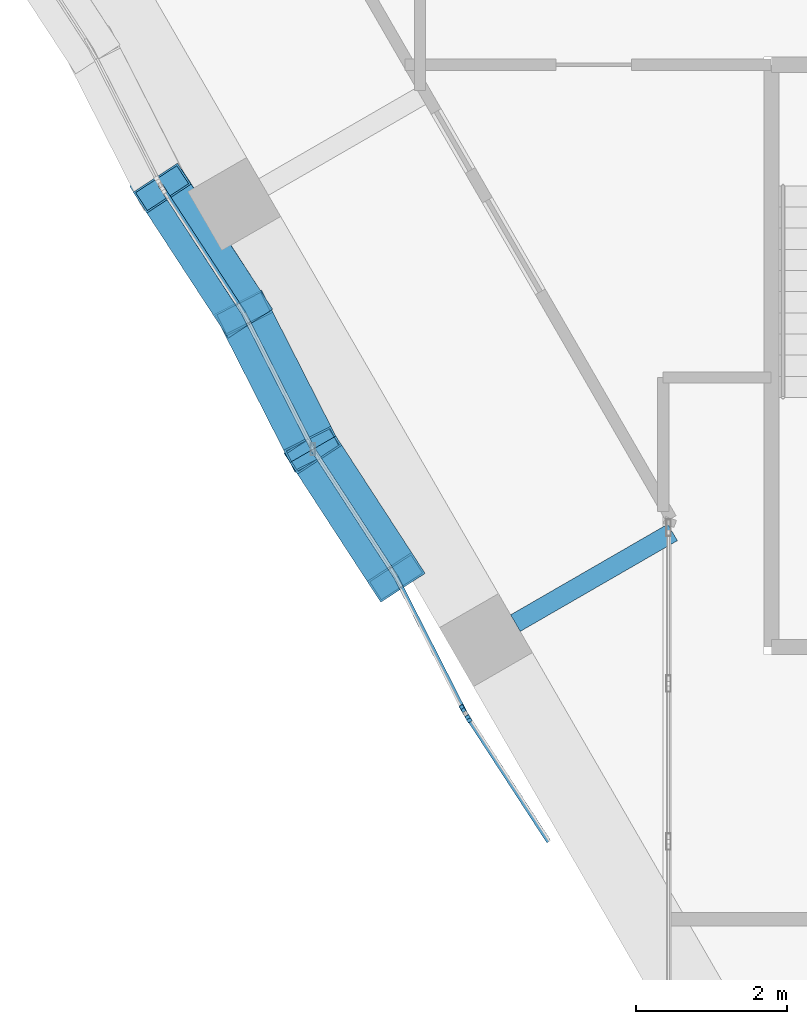
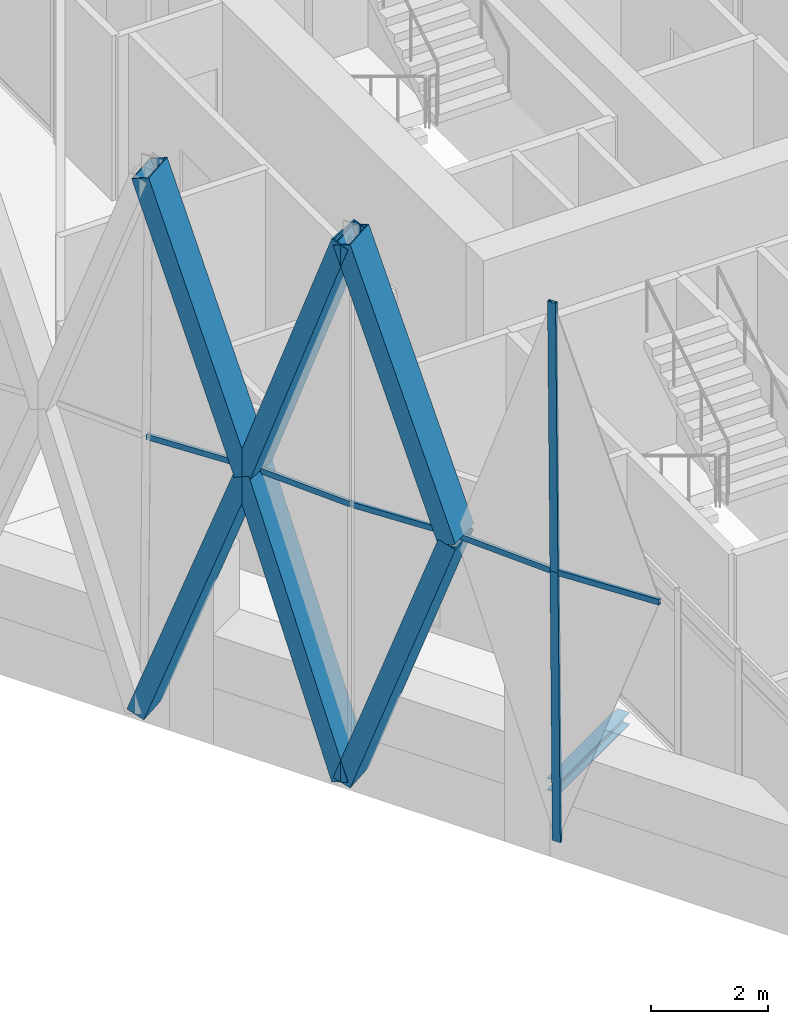
# One storey, part 9 of 37: 13 members, 1 beam, 2 elements without a shape of their own.
"""IFC4 building model written with IfcOpenShell, lengths in metres."""

import ifcopenshell
import ifcopenshell.guid

model = None  # the IFC model being written
_history = None  # IfcOwnerHistory: only IFC2X3 demands one
_inside = {}  # id of a spatial element -> (the spatial element, [elements in it])
_under = {}  # id of a project, library or spatial element -> (it, [spatial elements below it])
_declared = {}  # id of a project -> (the project, [libraries it declares])
_typed = {}  # id of a type object -> (the type object, [elements of that type])
_made_of = {}  # id of a material, layer set ... -> (it, [elements and type objects made of it])


def new_model(schema):
    """Start an empty IFC model of exactly this schema.

    Asked for "IFC4X3", IfcOpenShell would pick the latest addendum, in which some entities
    have other attributes; the version numbers below select the first issue.
    IFC2X3 requires an IfcOwnerHistory on every rooted entity: one is made here for all.
    """
    global model, _history
    if schema == "IFC4X3":
        model = ifcopenshell.file(schema_version=(4, 3, 0, 0))
    else:
        model = ifcopenshell.file(schema=schema)
    _inside.clear()
    _under.clear()
    _declared.clear()
    _typed.clear()
    _made_of.clear()
    _history = None
    if model.schema == "IFC2X3":
        org = make("IfcOrganization", Name="unknown")
        user = make(
            "IfcPersonAndOrganization",
            ThePerson=make("IfcPerson", FamilyName="unknown"),
            TheOrganization=org,
        )
        app = make(
            "IfcApplication",
            ApplicationDeveloper=org,
            Version="unknown",
            ApplicationFullName="unknown",
            ApplicationIdentifier="unknown",
        )
        _history = make(
            "IfcOwnerHistory",
            OwningUser=user,
            OwningApplication=app,
            ChangeAction="ADDED",
            CreationDate=0,
        )
    return model


def make(cls, **values):
    """One entity of the class cls with the attributes given. An attribute that is None is left unset."""
    return model.create_entity(
        cls, **{name: value for name, value in values.items() if value is not None}
    )


def rooted(cls, **values):
    """An entity with a GlobalId (a new one), such as an element, a storey or a relation."""
    return make(cls, GlobalId=ifcopenshell.guid.new(), OwnerHistory=_history, **values)


def si_unit(unit_type, name, prefix=None):
    """IfcSIUnit, for example si_unit("LENGTHUNIT", "METRE", prefix="MILLI")."""
    return make("IfcSIUnit", UnitType=unit_type, Prefix=prefix, Name=name)


def assignment(units):
    """IfcUnitAssignment: the units of a project."""
    return None if units is None else make("IfcUnitAssignment", Units=units)


def point(xyz):
    """IfcCartesianPoint."""
    return None if xyz is None else make("IfcCartesianPoint", Coordinates=xyz)


def direction(xyz):
    """IfcDirection."""
    return None if xyz is None else make("IfcDirection", DirectionRatios=xyz)


def frame(location, z_axis=None, x_axis=None):
    """IfcAxis2Placement3D, a coordinate frame: its origin and axes. An axis left out is left unset."""
    return make(
        "IfcAxis2Placement3D",
        Location=point(location),
        Axis=direction(z_axis),
        RefDirection=direction(x_axis),
    )


def frame_2d(location, x_axis=None):
    """IfcAxis2Placement2D, a coordinate frame in the plane: its origin and x axis."""
    return make(
        "IfcAxis2Placement2D", Location=point(location), RefDirection=direction(x_axis)
    )


def origin():
    """The frame at (0, 0, 0) with its axes left unset."""
    return frame((0.0, 0.0, 0.0))


def origin_2d():
    """The frame at (0, 0) in the plane with its x axis left unset."""
    return frame_2d((0.0, 0.0))


def place(relative_to, where):
    """IfcLocalPlacement: puts the frame where relative to a parent placement (None: the world)."""
    return make(
        "IfcLocalPlacement", PlacementRelTo=relative_to, RelativePlacement=where
    )


def context(
    kind, dimensions, precision=None, world=None, true_north=None, identifier=None
):
    """IfcGeometricRepresentationContext, for example the 3D "Model" context."""
    return make(
        "IfcGeometricRepresentationContext",
        ContextIdentifier=identifier,
        ContextType=kind,
        CoordinateSpaceDimension=dimensions,
        Precision=precision,
        WorldCoordinateSystem=world,
        TrueNorth=true_north,
    )


def subcontext(parent, identifier, kind, view, scale=None):
    """IfcGeometricRepresentationSubContext, for example "Body" below "Model"."""
    return make(
        "IfcGeometricRepresentationSubContext",
        ContextIdentifier=identifier,
        ContextType=kind,
        ParentContext=parent,
        TargetScale=scale,
        TargetView=view,
    )


def project(units=None, contexts=None):
    """IfcProject with its units and contexts."""
    return rooted(
        "IfcProject",
        Name="project",
        RepresentationContexts=contexts,
        UnitsInContext=assignment(units),
    )


def spatial(cls, under=None, at=None, **own):
    """A site, building, storey or space (cls), placed at a placement, below another one or the project."""
    s = rooted(cls, ObjectPlacement=at, **own)
    if under is not None:
        _under.setdefault(under.id(), (under, []))[1].append(s)
    return s


def profile(cls, at=None, kind="AREA", **sizes):
    """A parametric profile (cls). Its sizes go by their IFC names, for example OverallWidth=200.0."""
    return make(cls, ProfileType=kind, Position=at, **sizes)


def hollow_rectangle(**sizes):
    """IfcRectangleHollowProfileDef."""
    return profile("IfcRectangleHollowProfileDef", **sizes)


def i_section(**sizes):
    """IfcIShapeProfileDef."""
    return profile("IfcIShapeProfileDef", **sizes)


def extrude(swept, where, along, depth):
    """IfcExtrudedAreaSolid: the profile swept, set in the frame where, extruded along a direction by depth."""
    return make(
        "IfcExtrudedAreaSolid",
        SweptArea=swept,
        Position=where,
        ExtrudedDirection=direction(along),
        Depth=depth,
    )


def shape(context_of_items, identifier, shape_type, items):
    """IfcShapeRepresentation: the items that make up one representation, for example the "Body"."""
    return make(
        "IfcShapeRepresentation",
        ContextOfItems=context_of_items,
        RepresentationIdentifier=identifier,
        RepresentationType=shape_type,
        Items=items,
    )


def material(Name=None, Category=None):
    """IfcMaterial."""
    return make("IfcMaterial", Name=Name, Category=Category)


def material_profile(
    of_material, cross_section, Name=None, Category=None, Priority=None
):
    """IfcMaterialProfile: a cross section and its material."""
    return make(
        "IfcMaterialProfile",
        Name=Name,
        Material=of_material,
        Profile=cross_section,
        Priority=Priority,
        Category=Category,
    )


def profile_set(profiles, Name=None, composite=None):
    """IfcMaterialProfileSet."""
    return make(
        "IfcMaterialProfileSet",
        Name=Name,
        MaterialProfiles=profiles,
        CompositeProfile=composite,
    )


def made_of(thing, what):
    """Note that an element or type object is made of a material, layer set ...; save() writes the relation."""
    if what is not None:
        _made_of.setdefault(what.id(), (what, []))[1].append(thing)
    return thing


def type_object(cls, material=None, **own):
    """A type object (cls), such as IfcWallType, which elements share."""
    return made_of(rooted(cls, **own), material)


def element(
    cls,
    number,
    at=None,
    inside=None,
    cuts=None,
    type_object=None,
    material=None,
    context=None,
    identifier="Body",
    shape_type=None,
    held_by="IfcProductDefinitionShape",
    body=None,
    shapes=None,
    **own,
):
    """One element of the class cls, such as IfcWall. Its Tag is "e" and its number.

    at: its placement. inside: the storey or other place that contains it. cuts: it is an
    opening in that element (IfcRelVoidsElement). A single representation is given by context,
    identifier, shape_type and body (its items); several are given by shapes. held_by: the class
    of the entity that holds the representations. save() writes the other relations.
    """
    e = rooted(cls, Tag="e%d" % number, ObjectPlacement=at, **own)
    if body is not None:
        shapes = [shape(context, identifier, shape_type, body)]
    if shapes is not None:
        e.Representation = make(held_by, Representations=shapes)
    if inside is not None:
        _inside.setdefault(inside.id(), (inside, []))[1].append(e)
    if cuts is not None:
        rooted(
            "IfcRelVoidsElement", RelatingBuildingElement=cuts, RelatedOpeningElement=e
        )
    if type_object is not None:
        _typed.setdefault(type_object.id(), (type_object, []))[1].append(e)
    return made_of(e, material)


def aggregate(whole, parts):
    """IfcRelAggregates: a whole, such as a stair, and the parts it consists of."""
    return rooted("IfcRelAggregates", RelatingObject=whole, RelatedObjects=parts)


def save(model, path):
    """Write the relations noted so far, then the file.

    IfcRelAggregates (storeys below a building ...), IfcRelContainedInSpatialStructure (elements
    in a storey), IfcRelDefinesByType, IfcRelAssociatesMaterial and IfcRelDeclares: one each for
    every whole, place, type object, material and project.
    """
    for whole, parts in _under.values():
        aggregate(whole, parts)
    for where, things in _inside.values():
        rooted(
            "IfcRelContainedInSpatialStructure",
            RelatedElements=things,
            RelatingStructure=where,
        )
    for kind, things in _typed.values():
        rooted("IfcRelDefinesByType", RelatedObjects=things, RelatingType=kind)
    for what, things in _made_of.values():
        rooted("IfcRelAssociatesMaterial", RelatedObjects=things, RelatingMaterial=what)
    for by, libraries in _declared.values():
        rooted("IfcRelDeclares", RelatingContext=by, RelatedDefinitions=libraries)
    model.write(path)


model = new_model("IFC4")

# Units and contexts
model_context = context("Model", 3, precision=1e-05, world=origin(), true_north=direction((0.0, 1.0)))
body_context = subcontext(model_context, "Body", "Model", "MODEL_VIEW")
ifc_project = project(units=[si_unit("LENGTHUNIT", "METRE"), si_unit("AREAUNIT", "SQUARE_METRE"), si_unit("VOLUMEUNIT", "CUBIC_METRE"), si_unit("PLANEANGLEUNIT", "RADIAN"), si_unit("MASSUNIT", "GRAM", prefix="KILO")], contexts=[model_context])

# Site, building, storey
site_placement = place(None, origin())
site = spatial("IfcSite", under=ifc_project, at=site_placement, CompositionType="ELEMENT")
building_placement = place(site_placement, origin())
building = spatial("IfcBuilding", under=site, at=building_placement, Name="Ostrander Bayou Hotel Tower", CompositionType="ELEMENT")
storey_placement = place(building_placement, frame((0.0, 0.0, 225.75)))
storey = spatial("IfcBuildingStorey", under=building, at=storey_placement, Name="L56", CompositionType="ELEMENT", Elevation=225.75)

# Curtain wall, members
ifc_material_1 = material(Name="Aluminium and clear glass", Category="aluminium")
curtain_wall_type = type_object("IfcCurtainWallType", Name="CW-LAT lattice glazing", PredefinedType="NOTDEFINED", material=ifc_material_1)
curtain_wall_1_placement = place(storey_placement, origin())
curtain_wall_1 = element("IfcCurtainWall", 1, at=curtain_wall_1_placement, inside=storey, type_object=curtain_wall_type, Name="CW-LAT L56 SW 1", PredefinedType="NOTDEFINED")
ifc_material_2 = material(Name="Aluminium", Category="aluminium")
ifc_material_profile_1 = material_profile(ifc_material_2, hollow_rectangle(XDim=0.06005859375, YDim=0.159912109375, WallThickness=0.00390625, at=origin_2d()))
ifc_profile_set_1 = profile_set([ifc_material_profile_1], Name="Aluminium")
member_type_1 = type_object("IfcMemberType", Name="CW-LA mullion 60 x 160 mm", PredefinedType="MULLION", material=ifc_profile_set_1)
member_1_placement = place(storey_placement, frame((-13.17529296875, -12.31982421875, -0.60009765625), z_axis=(-0.004166521053, 0.007248010581, 0.999965052612), x_axis=(-0.86696238118, -0.498373584391, 0.0)))
member_1 = element("IfcMember", 2, at=member_1_placement, type_object=member_type_1, Name="CW-LAT mullion 12", PredefinedType="MULLION", context=body_context, shape_type="SweptSolid", body=[
    extrude(hollow_rectangle(XDim=0.06005859375, YDim=0.159912109375, WallThickness=0.00390625, at=origin_2d()), origin(), (0.0, 0.0, 1.0), 5.625244140625),
])
member_2_placement = place(storey_placement, frame((-13.19873046875, -12.279052734375, 5.02490234375), z_axis=(-0.00420992022, 0.007291408216, 0.999964555341), x_axis=(-0.866013897511, -0.50001992892, 0.0)))
member_2 = element("IfcMember", 3, at=member_2_placement, type_object=member_type_1, Name="CW-LAT mullion 13", PredefinedType="MULLION", context=body_context, shape_type="SweptSolid", body=[
    extrude(hollow_rectangle(XDim=0.06005859375, YDim=0.159912109375, WallThickness=0.00390625, at=origin_2d()), origin(), (0.0, 0.0, 1.0), 5.625244140625),
])
aggregate(curtain_wall_1, [member_1, member_2])

curtain_wall_2_placement = place(storey_placement, origin())
curtain_wall_2 = element("IfcCurtainWall", 4, at=curtain_wall_2_placement, inside=storey, type_object=curtain_wall_type, Name="CW-LAT L56 SW 2", PredefinedType="NOTDEFINED")
ifc_material_3 = material(Name="Aluminium", Category="aluminium")
ifc_material_profile_2 = material_profile(ifc_material_3, hollow_rectangle(XDim=0.06005859375, YDim=0.1201171875, WallThickness=0.00390625, at=origin_2d()))
ifc_profile_set_2 = profile_set([ifc_material_profile_2], Name="Aluminium")
member_type_2 = type_object("IfcMemberType", Name="CW-LA transom 60 x 120 mm", PredefinedType="USERDEFINED", material=ifc_profile_set_2)
member_3_placement = place(storey_placement, frame((-17.2333984375, -5.291015625, 5.02490234375), z_axis=(0.545154004176, -0.838335918192, 0.0), x_axis=(0.838335918192, 0.545154004176, 0.0)))
member_3 = element("IfcMember", 5, at=member_3_placement, type_object=member_type_2, Name="CW-LAT transom 7", ObjectType="TRANSOM", PredefinedType="USERDEFINED", context=body_context, shape_type="SweptSolid", body=[
    extrude(hollow_rectangle(XDim=0.06005859375, YDim=0.1201171875, WallThickness=0.00390625, at=origin_2d()), origin(), (0.0, 0.0, 1.0), 2.020263671875),
])
member_4_placement = place(storey_placement, frame((-15.216064453125, -8.784912109375, 5.02490234375), z_axis=(-0.453487563277, 0.891262604373, 0.0), x_axis=(-0.891262604373, -0.453487563277, 0.0)))
member_4 = element("IfcMember", 6, at=member_4_placement, type_object=member_type_2, Name="CW-LAT transom 10", ObjectType="TRANSOM", PredefinedType="USERDEFINED", context=body_context, shape_type="SweptSolid", body=[
    extrude(hollow_rectangle(XDim=0.06005859375, YDim=0.1201171875, WallThickness=0.00390625, at=origin_2d()), origin(), (0.0, 0.0, 1.0), 2.02001953125),
])
member_5_placement = place(storey_placement, frame((-15.216064453125, -8.784912109375, 5.02490234375), z_axis=(0.545154004176, -0.838335918192, 0.0), x_axis=(0.838335918192, 0.545154004176, 0.0)))
member_5 = element("IfcMember", 7, at=member_5_placement, type_object=member_type_2, Name="CW-LAT transom 11", ObjectType="TRANSOM", PredefinedType="USERDEFINED", context=body_context, shape_type="SweptSolid", body=[
    extrude(hollow_rectangle(XDim=0.06005859375, YDim=0.1201171875, WallThickness=0.00390625, at=origin_2d()), origin(), (0.0, 0.0, 1.0), 2.020263671875),
])
member_6_placement = place(storey_placement, frame((-13.19873046875, -12.279052734375, 5.02490234375), z_axis=(-0.45343871684, 0.891287456475, 0.0), x_axis=(-0.891287456475, -0.45343871684, 0.0)))
member_6 = element("IfcMember", 8, at=member_6_placement, type_object=member_type_2, Name="CW-LAT transom 14", ObjectType="TRANSOM", PredefinedType="USERDEFINED", context=body_context, shape_type="SweptSolid", body=[
    extrude(hollow_rectangle(XDim=0.06005859375, YDim=0.1201171875, WallThickness=0.00390625, at=origin_2d()), origin(), (0.0, 0.0, 1.0), 2.020263671875),
])
member_7_placement = place(storey_placement, frame((-13.19873046875, -12.279052734375, 5.02490234375), z_axis=(0.545209239684, -0.838299996996, 0.0), x_axis=(0.838299996996, 0.545209239684, 0.0)))
member_7 = element("IfcMember", 9, at=member_7_placement, type_object=member_type_2, Name="CW-LAT transom 15", ObjectType="TRANSOM", PredefinedType="USERDEFINED", context=body_context, shape_type="SweptSolid", body=[
    extrude(hollow_rectangle(XDim=0.06005859375, YDim=0.1201171875, WallThickness=0.00390625, at=origin_2d()), origin(), (0.0, 0.0, 1.0), 2.02001953125),
])
aggregate(curtain_wall_2, [member_3, member_4, member_5, member_6, member_7])

# Beam
ifc_material_4 = material(Name="Steel ASTM A992", Category="steel")
ifc_material_profile_3 = material_profile(ifc_material_4, i_section(OverallWidth=0.25390625, OverallDepth=0.25341796875, WebThickness=0.008544921875, FlangeThickness=0.01416015625, at=origin_2d()))
ifc_profile_set_3 = profile_set([ifc_material_profile_3], Name="Steel ASTM A992")
beam_type = type_object("IfcBeamType", Name="LB2 loggia bracket W10x49", PredefinedType="BEAM", material=ifc_profile_set_3)
beam_placement = place(storey_placement, frame((-12.5380859375, -11.083251953125, -0.4267578125), z_axis=(0.866024647952, 0.500001309137, 0.0), x_axis=(-0.500001309137, 0.866024647952, 0.0)))
element("IfcBeam", 10, at=beam_placement, inside=storey, type_object=beam_type, Name="LB2 L56 SW2", PredefinedType="BEAM", context=body_context, shape_type="SweptSolid", body=[
    extrude(i_section(OverallWidth=0.25390625, OverallDepth=0.25341796875, WebThickness=0.008544921875, FlangeThickness=0.01416015625, at=origin_2d()), origin(), (0.0, 0.0, 1.0), 2.39990234375),
])

# Members
ifc_material_5 = material(Name="Steel ASTM A572 Gr 50", Category="steel")
ifc_material_profile_4 = material_profile(ifc_material_5, hollow_rectangle(XDim=0.699951171875, YDim=0.35009765625, WallThickness=0.02490234375, at=origin_2d()))
ifc_profile_set_4 = profile_set([ifc_material_profile_4], Name="Steel ASTM A572 Gr 50")
member_type_3 = type_object("IfcMemberType", Name="LT1 lattice member box 700 x 350 x 25 mm", PredefinedType="BRACE", material=ifc_profile_set_4)
member_8_placement = place(storey_placement, frame((-16.132080078125, -6.984619140625, 5.02490234375), z_axis=(-0.187721345598, 0.289444479269, -0.93860672799), x_axis=(-0.838996255552, -0.544137191497, 0.0)))
element("IfcMember", 11, at=member_8_placement, inside=storey, type_object=member_type_3, Name="LT1 L56 SW 5", PredefinedType="BRACE", context=body_context, shape_type="SweptSolid", body=[
    extrude(hollow_rectangle(XDim=0.699951171875, YDim=0.35009765625, WallThickness=0.02490234375, at=origin_2d()), origin(), (0.0, 0.0, 1.0), 5.992919921875),
])
member_9_placement = place(storey_placement, frame((-16.132080078125, -6.984619140625, 5.02490234375), z_axis=(-0.180780539696, 0.277273279053, 0.943630184548), x_axis=(-0.837679513647, -0.546162093536, 0.0)))
element("IfcMember", 12, at=member_9_placement, inside=storey, type_object=member_type_3, Name="LT1 L56 SW 6", PredefinedType="BRACE", context=body_context, shape_type="SweptSolid", body=[
    extrude(hollow_rectangle(XDim=0.699951171875, YDim=0.35009765625, WallThickness=0.02490234375, at=origin_2d()), origin(), (0.0, 0.0, 1.0), 5.9609375),
])
for number, where, z_axis, x_axis, name in (
    (13, (-16.132080078125, -6.984619140625, 5.02490234375), (0.153264830692, -0.301219312772, -0.94115716928), (0.891262604373, 0.453487563277, 0.0), "LT1 L56 SW 7"),
    (14, (-16.132080078125, -6.984619140625, 5.02490234375), (0.153264830692, -0.301219312772, 0.94115716928), (0.891262604373, 0.453487563277, 0.0), "LT1 L56 SW 8"),
    (15, (-14.11474609375, -10.478515625, 5.02490234375), (-0.184266374171, 0.283364184799, -0.941143263336), (-0.838335918192, -0.545154004176, 0.0), "LT1 L56 SW 9"),
    (16, (-14.11474609375, -10.478515625, 5.02490234375), (-0.184266374171, 0.283364184799, 0.941143263336), (-0.838335918192, -0.545154004176, 0.0), "LT1 L56 SW 10"),
):
    element("IfcMember", number, at=place(storey_placement, frame(where, z_axis=z_axis, x_axis=x_axis)), inside=storey, type_object=member_type_3, Name=name, PredefinedType="BRACE", context=body_context, shape_type="SweptSolid", body=[
        extrude(hollow_rectangle(XDim=0.699951171875, YDim=0.35009765625, WallThickness=0.02490234375, at=origin_2d()), origin(), (0.0, 0.0, 1.0), 5.976806640625),
    ])

save(model, "model.ifc")
